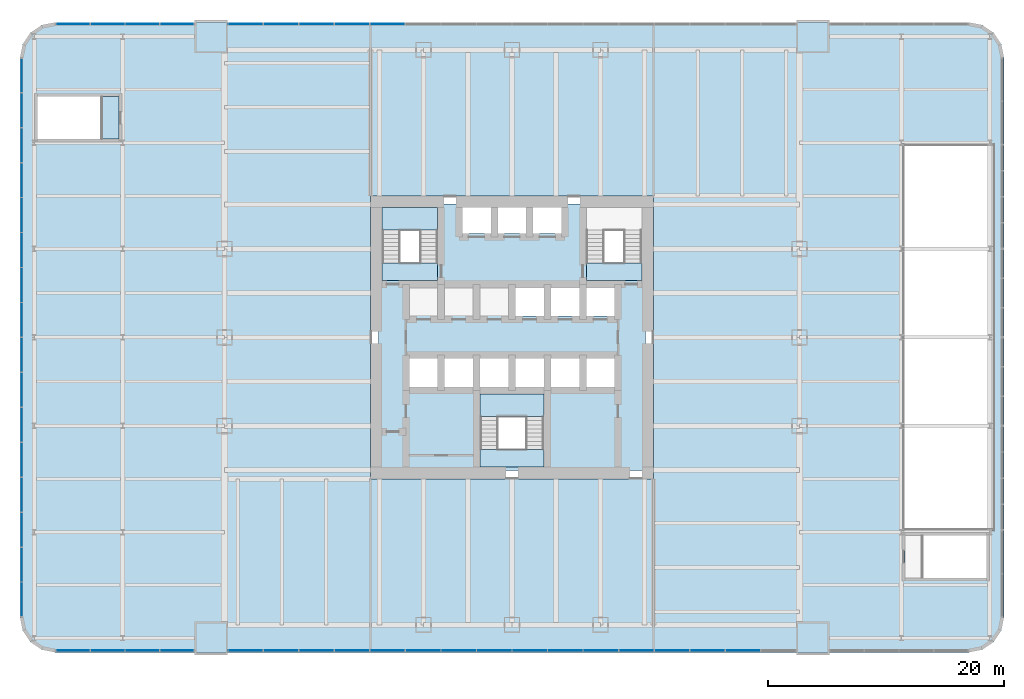
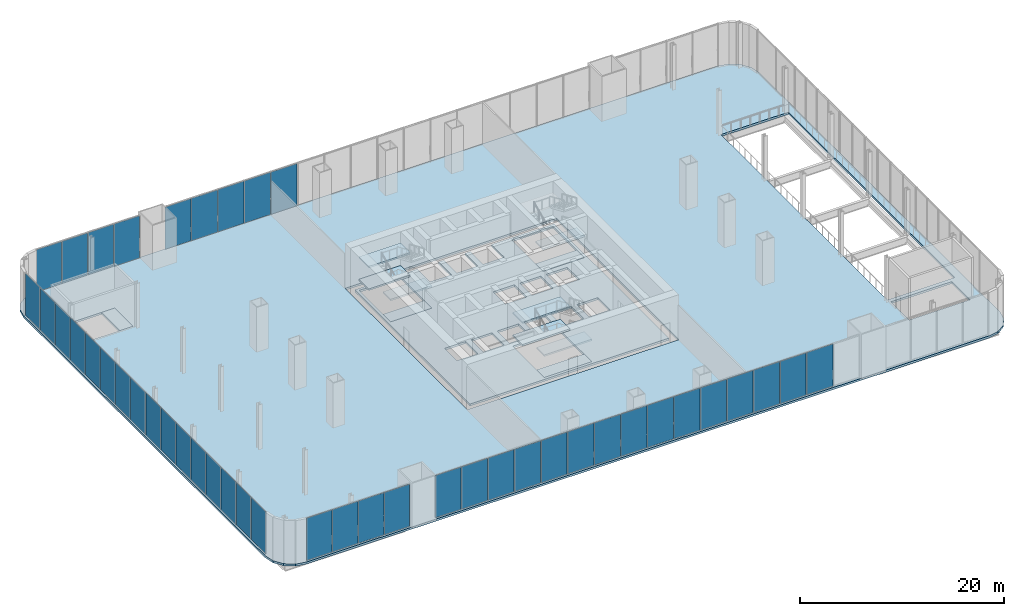
# One storey, part 12 of 17: 44 plates, 13 slabs, 8 elements without a shape of their own.
"""IFC4 building model written with IfcOpenShell, lengths in metres."""

from ifc_helpers import new_model, si_unit, direction, frame, origin, origin_2d, place, context, subcontext, project, spatial, polyline, rectangle, outline, extrude, material, layer, layer_set, type_object, element, aggregate, save


model = new_model("IFC4")

# Units and contexts
model_context = context("Model", 3, precision=1e-05, world=origin(), true_north=direction((0.0, 1.0)))
body_context = subcontext(model_context, "Body", "Model", "MODEL_VIEW")
ifc_project = project(units=[si_unit("LENGTHUNIT", "METRE"), si_unit("AREAUNIT", "SQUARE_METRE"), si_unit("VOLUMEUNIT", "CUBIC_METRE"), si_unit("PLANEANGLEUNIT", "RADIAN"), si_unit("MASSUNIT", "GRAM", prefix="KILO")], contexts=[model_context])

# Site, building, storey
site_placement = place(None, origin())
site = spatial("IfcSite", under=ifc_project, at=site_placement, CompositionType="ELEMENT")
building_placement = place(site_placement, origin())
building = spatial("IfcBuilding", under=site, at=building_placement, Name="Tarangal Relay Tower", CompositionType="ELEMENT")
storey_placement = place(building_placement, frame((0.0, 0.0, 18.0)))
storey = spatial("IfcBuildingStorey", under=building, at=storey_placement, Name="L03", CompositionType="ELEMENT", Elevation=18.0)

# Slabs
ifc_material_1 = material(Name="Concrete fc' 35 MPa", Category="concrete")
ifc_layer_1 = layer(ifc_material_1, 0.25)
ifc_layer_set_1 = layer_set([ifc_layer_1], Name="Core floor slab 250")
slab_type_1 = type_object("IfcSlabType", Name="Core floor slab 250", PredefinedType="FLOOR", material=ifc_layer_set_1)
slab_1_placement = place(storey_placement, frame((0.0, 0.0, -0.25)))
element("IfcSlab", 1, at=slab_1_placement, inside=storey, type_object=slab_type_1, Name="Core floor slab L03", PredefinedType="FLOOR", context=body_context, shape_type="SweptSolid", body=[
    extrude(outline(polyline([(11.300048828125, 11.300048828125), (11.300048828125, -11.300048828125), (-11.300048828125, -11.300048828125), (-11.300048828125, 11.300048828125), (-4.199951171875, 11.300048828125), (-4.199951171875, 8.800048828125), (-1.800048828125, 8.800048828125), (-1.800048828125, 11.300048828125), (-1.199951171875, 11.300048828125), (-1.199951171875, 8.800048828125), (1.199951171875, 8.800048828125), (1.199951171875, 11.300048828125), (1.800048828125, 11.300048828125), (1.800048828125, 8.800048828125), (4.199951171875, 8.800048828125), (4.199951171875, 11.300048828125), (11.300048828125, 11.300048828125)]), holes=[polyline([(2.699951171875, -4.800048828125), (-2.699951171875, -4.800048828125), (-2.699951171875, -11.0), (2.699951171875, -11.0), (2.699951171875, -4.800048828125)]), polyline([(-6.300048828125, -4.199951171875), (-6.300048828125, -1.800048828125), (-8.699951171875, -1.800048828125), (-8.699951171875, -4.199951171875), (-6.300048828125, -4.199951171875)]), polyline([(-3.300048828125, -4.199951171875), (-3.300048828125, -1.800048828125), (-5.699951171875, -1.800048828125), (-5.699951171875, -4.199951171875), (-3.300048828125, -4.199951171875)]), polyline([(-0.300048828125, -4.199951171875), (-0.300048828125, -1.800048828125), (-2.699951171875, -1.800048828125), (-2.699951171875, -4.199951171875), (-0.300048828125, -4.199951171875)]), polyline([(2.699951171875, 1.800048828125), (2.699951171875, 4.199951171875), (0.300048828125, 4.199951171875), (0.300048828125, 1.800048828125), (2.699951171875, 1.800048828125)]), polyline([(-6.300048828125, 4.800048828125), (-6.300048828125, 11.0), (-11.0, 11.0), (-11.0, 4.800048828125), (-6.300048828125, 4.800048828125)]), polyline([(2.699951171875, -4.199951171875), (2.699951171875, -1.800048828125), (0.300048828125, -1.800048828125), (0.300048828125, -4.199951171875), (2.699951171875, -4.199951171875)]), polyline([(5.699951171875, -4.199951171875), (5.699951171875, -1.800048828125), (3.300048828125, -1.800048828125), (3.300048828125, -4.199951171875), (5.699951171875, -4.199951171875)]), polyline([(8.699951171875, -4.199951171875), (8.699951171875, -1.800048828125), (6.300048828125, -1.800048828125), (6.300048828125, -4.199951171875), (8.699951171875, -4.199951171875)]), polyline([(5.699951171875, 1.800048828125), (5.699951171875, 4.199951171875), (3.300048828125, 4.199951171875), (3.300048828125, 1.800048828125), (5.699951171875, 1.800048828125)]), polyline([(8.699951171875, 1.800048828125), (8.699951171875, 4.199951171875), (6.300048828125, 4.199951171875), (6.300048828125, 1.800048828125), (8.699951171875, 1.800048828125)]), polyline([(11.0, 4.800048828125), (11.0, 11.0), (6.300048828125, 11.0), (6.300048828125, 4.800048828125), (11.0, 4.800048828125)])]), origin(), (0.0, 0.0, 1.0), 0.25),
])
ifc_layer_2 = layer(ifc_material_1, 0.25)
ifc_layer_set_2 = layer_set([ifc_layer_2], Name="Floor slab 250")
slab_type_2 = type_object("IfcSlabType", Name="Floor slab 250", PredefinedType="FLOOR", material=ifc_layer_set_2)
slab_2_placement = place(storey_placement, frame((0.0, 0.0, -0.25)))
element("IfcSlab", 2, at=slab_2_placement, inside=storey, type_object=slab_type_2, Name="Floor slab FS1 L03", PredefinedType="FLOOR", context=body_context, shape_type="SweptSolid", body=[
    extrude(outline(polyline([(41.699951171875, 23.699951171875), (41.4716796875, 24.84814453125), (40.8212890625, 25.8212890625), (39.84814453125, 26.4716796875), (38.699951171875, 26.699951171875), (-38.699951171875, 26.699951171875), (-39.84814453125, 26.4716796875), (-40.8212890625, 25.8212890625), (-41.4716796875, 24.84814453125), (-41.699951171875, 23.699951171875), (-41.699951171875, -23.699951171875), (-41.4716796875, -24.84814453125), (-40.8212890625, -25.8212890625), (-39.84814453125, -26.4716796875), (-38.699951171875, -26.699951171875), (38.699951171875, -26.699951171875), (39.84814453125, -26.4716796875), (40.8212890625, -25.8212890625), (41.4716796875, -24.84814453125), (41.699951171875, -23.699951171875), (41.699951171875, 23.699951171875)]), holes=[polyline([(-12.0, -12.0), (12.0, -12.0), (12.0, 12.0), (-12.0, 12.0), (-12.0, -12.0)]), polyline([(-40.199951171875, 16.800048828125), (-33.300048828125, 16.800048828125), (-33.300048828125, 20.39990234375), (-40.199951171875, 20.39990234375), (-40.199951171875, 16.800048828125)]), polyline([(33.300048828125, -20.39990234375), (40.199951171875, -20.39990234375), (40.199951171875, -16.800048828125), (33.300048828125, -16.800048828125), (33.300048828125, -20.39990234375)]), polyline([(33.14990234375, -16.35009765625), (40.800048828125, -16.35009765625), (40.800048828125, 16.35009765625), (33.14990234375, 16.35009765625), (33.14990234375, -16.35009765625)])]), origin(), (0.0, 0.0, 1.0), 0.25),
])

# Curtain wall, plates
ifc_material_2 = material(Name="Unitised curtain wall, dark glass and black aluminium", Category="aluminium")
curtain_wall_type = type_object("IfcCurtainWallType", Name="Curtain wall CW-P", PredefinedType="USERDEFINED", material=ifc_material_2)
curtain_wall_1_placement = place(storey_placement, origin())
curtain_wall_1 = element("IfcCurtainWall", 3, at=curtain_wall_1_placement, inside=storey, type_object=curtain_wall_type, Name="Curtain wall CW-P Podium N facade L03", ObjectType="UNITISED CURTAIN WALL", PredefinedType="USERDEFINED")
ifc_material_3 = material(Name="Dark tinted insulated glass unit", Category="glass")
ifc_layer_3 = layer(ifc_material_3, 0.033935546875)
ifc_layer_set_3 = layer_set([ifc_layer_3], Name="Glazed panel CW-P 34")
plate_type = type_object("IfcPlateType", Name="Glazed panel CW-P 34", PredefinedType="CURTAIN_PANEL", material=ifc_layer_set_3)
plate_1_placement = place(storey_placement, frame((-10.543701171875, 26.550048828125, 0.070068359375), z_axis=(0.0, 0.0, 1.0), x_axis=(-1.0, 0.0, 0.0)))
plate_1 = element("IfcPlate", 4, at=plate_1_placement, type_object=plate_type, Name="CW-P panel 12.1", PredefinedType="CURTAIN_PANEL", context=body_context, shape_type="SweptSolid", body=[
    extrude(rectangle(XDim=2.9423828125, YDim=0.033935546875, at=origin_2d()), origin(), (0.0, 0.0, 1.0), 5.06005859375),
])
plate_2_placement = place(storey_placement, frame((-13.55615234375, 26.550048828125, 0.070068359375), z_axis=(0.0, 0.0, 1.0), x_axis=(-1.0, 0.0, 0.0)))
plate_2 = element("IfcPlate", 5, at=plate_2_placement, type_object=plate_type, Name="CW-P panel 13.1", PredefinedType="CURTAIN_PANEL", context=body_context, shape_type="SweptSolid", body=[
    extrude(rectangle(XDim=2.9423828125, YDim=0.033935546875, at=origin_2d()), origin(), (0.0, 0.0, 1.0), 5.06005859375),
])
plate_3_placement = place(storey_placement, frame((-16.56884765625, 26.550048828125, 0.070068359375), z_axis=(0.0, 0.0, 1.0), x_axis=(-1.0, 0.0, 0.0)))
plate_3 = element("IfcPlate", 6, at=plate_3_placement, type_object=plate_type, Name="CW-P panel 14.1", PredefinedType="CURTAIN_PANEL", context=body_context, shape_type="SweptSolid", body=[
    extrude(rectangle(XDim=2.9423828125, YDim=0.033935546875, at=origin_2d()), origin(), (0.0, 0.0, 1.0), 5.06005859375),
])
plate_4_placement = place(storey_placement, frame((-19.581298828125, 26.550048828125, 0.070068359375), z_axis=(0.0, 0.0, 1.0), x_axis=(-1.0, 0.0, 0.0)))
plate_4 = element("IfcPlate", 7, at=plate_4_placement, type_object=plate_type, Name="CW-P panel 15.1", PredefinedType="CURTAIN_PANEL", context=body_context, shape_type="SweptSolid", body=[
    extrude(rectangle(XDim=2.9423828125, YDim=0.033935546875, at=origin_2d()), origin(), (0.0, 0.0, 1.0), 5.06005859375),
])
plate_5_placement = place(storey_placement, frame((-22.576171875, 26.550048828125, 0.070068359375), z_axis=(0.0, 0.0, 1.0), x_axis=(-1.0, 0.0, 0.0)))
plate_5 = element("IfcPlate", 8, at=plate_5_placement, type_object=plate_type, Name="CW-P panel 16.1", PredefinedType="CURTAIN_PANEL", context=body_context, shape_type="SweptSolid", body=[
    extrude(rectangle(XDim=2.907470703125, YDim=0.033935546875, at=origin_2d()), origin(), (0.0, 0.0, 1.0), 5.06005859375),
])
aggregate(curtain_wall_1, [plate_1, plate_2, plate_3, plate_4, plate_5])

curtain_wall_2_placement = place(storey_placement, origin())
curtain_wall_2 = element("IfcCurtainWall", 9, at=curtain_wall_2_placement, inside=storey, type_object=curtain_wall_type, Name="Curtain wall CW-P Podium N facade L03", ObjectType="UNITISED CURTAIN WALL", PredefinedType="USERDEFINED")
plate_6_placement = place(storey_placement, frame((-28.392578125, 26.550048828125, 0.070068359375), z_axis=(0.0, 0.0, 1.0), x_axis=(-1.0, 0.0, 0.0)))
plate_6 = element("IfcPlate", 10, at=plate_6_placement, type_object=plate_type, Name="CW-P panel 1.1", PredefinedType="CURTAIN_PANEL", context=body_context, shape_type="SweptSolid", body=[
    extrude(rectangle(XDim=2.844970703125, YDim=0.033935546875, at=origin_2d()), origin(), (0.0, 0.0, 1.0), 5.06005859375),
])
plate_7_placement = place(storey_placement, frame((-31.324951171875, 26.550048828125, 0.070068359375), z_axis=(0.0, 0.0, 1.0), x_axis=(-1.0, 0.0, 0.0)))
plate_7 = element("IfcPlate", 11, at=plate_7_placement, type_object=plate_type, Name="CW-P panel 2.1", PredefinedType="CURTAIN_PANEL", context=body_context, shape_type="SweptSolid", body=[
    extrude(rectangle(XDim=2.8798828125, YDim=0.033935546875, at=origin_2d()), origin(), (0.0, 0.0, 1.0), 5.06005859375),
])
plate_8_placement = place(storey_placement, frame((-34.27490234375, 26.550048828125, 0.070068359375), z_axis=(0.0, 0.0, 1.0), x_axis=(-1.0, 0.0, 0.0)))
plate_8 = element("IfcPlate", 12, at=plate_8_placement, type_object=plate_type, Name="CW-P panel 3.1", PredefinedType="CURTAIN_PANEL", context=body_context, shape_type="SweptSolid", body=[
    extrude(rectangle(XDim=2.8798828125, YDim=0.033935546875, at=origin_2d()), origin(), (0.0, 0.0, 1.0), 5.06005859375),
])
plate_9_placement = place(storey_placement, frame((-37.20751953125, 26.550048828125, 0.070068359375), z_axis=(0.0, 0.0, 1.0), x_axis=(-1.0, 0.0, 0.0)))
plate_9 = element("IfcPlate", 13, at=plate_9_placement, type_object=plate_type, Name="CW-P panel 4.1", PredefinedType="CURTAIN_PANEL", context=body_context, shape_type="SweptSolid", body=[
    extrude(rectangle(XDim=2.844970703125, YDim=0.033935546875, at=origin_2d()), origin(), (0.0, 0.0, 1.0), 5.06005859375),
])
aggregate(curtain_wall_2, [plate_6, plate_7, plate_8, plate_9])

curtain_wall_3_placement = place(storey_placement, origin())
curtain_wall_3 = element("IfcCurtainWall", 14, at=curtain_wall_3_placement, inside=storey, type_object=curtain_wall_type, Name="Curtain wall CW-P Podium W facade L03", ObjectType="UNITISED CURTAIN WALL", PredefinedType="USERDEFINED")
plate_10_placement = place(storey_placement, frame((-41.550048828125, 22.201171875, 0.070068359375), z_axis=(0.0, 0.0, 1.0), x_axis=(0.0, -1.0, 0.0)))
plate_10 = element("IfcPlate", 15, at=plate_10_placement, type_object=plate_type, Name="CW-P panel 1.1", PredefinedType="CURTAIN_PANEL", context=body_context, shape_type="SweptSolid", body=[
    extrude(rectangle(XDim=2.857421875, YDim=0.033935546875, at=origin_2d()), origin(), (0.0, 0.0, 1.0), 5.06005859375),
])
plate_11_placement = place(storey_placement, frame((-41.550048828125, 19.25634765625, 0.070068359375), z_axis=(0.0, 0.0, 1.0), x_axis=(0.0, -1.0, 0.0)))
plate_11 = element("IfcPlate", 16, at=plate_11_placement, type_object=plate_type, Name="CW-P panel 2.1", PredefinedType="CURTAIN_PANEL", context=body_context, shape_type="SweptSolid", body=[
    extrude(rectangle(XDim=2.892578125, YDim=0.033935546875, at=origin_2d()), origin(), (0.0, 0.0, 1.0), 5.06005859375),
])
plate_12_placement = place(storey_placement, frame((-41.550048828125, 16.293701171875, 0.070068359375), z_axis=(0.0, 0.0, 1.0), x_axis=(0.0, -1.0, 0.0)))
plate_12 = element("IfcPlate", 17, at=plate_12_placement, type_object=plate_type, Name="CW-P panel 3.1", PredefinedType="CURTAIN_PANEL", context=body_context, shape_type="SweptSolid", body=[
    extrude(rectangle(XDim=2.892578125, YDim=0.033935546875, at=origin_2d()), origin(), (0.0, 0.0, 1.0), 5.06005859375),
])
plate_13_placement = place(storey_placement, frame((-41.550048828125, 13.331298828125, 0.070068359375), z_axis=(0.0, 0.0, 1.0), x_axis=(0.0, -1.0, 0.0)))
plate_13 = element("IfcPlate", 18, at=plate_13_placement, type_object=plate_type, Name="CW-P panel 4.1", PredefinedType="CURTAIN_PANEL", context=body_context, shape_type="SweptSolid", body=[
    extrude(rectangle(XDim=2.892578125, YDim=0.033935546875, at=origin_2d()), origin(), (0.0, 0.0, 1.0), 5.06005859375),
])
plate_14_placement = place(storey_placement, frame((-41.550048828125, 10.36865234375, 0.070068359375), z_axis=(0.0, 0.0, 1.0), x_axis=(0.0, -1.0, 0.0)))
plate_14 = element("IfcPlate", 19, at=plate_14_placement, type_object=plate_type, Name="CW-P panel 5.1", PredefinedType="CURTAIN_PANEL", context=body_context, shape_type="SweptSolid", body=[
    extrude(rectangle(XDim=2.892578125, YDim=0.033935546875, at=origin_2d()), origin(), (0.0, 0.0, 1.0), 5.06005859375),
])
plate_15_placement = place(storey_placement, frame((-41.550048828125, 7.40625, 0.070068359375), z_axis=(0.0, 0.0, 1.0), x_axis=(0.0, -1.0, 0.0)))
plate_15 = element("IfcPlate", 20, at=plate_15_placement, type_object=plate_type, Name="CW-P panel 6.1", PredefinedType="CURTAIN_PANEL", context=body_context, shape_type="SweptSolid", body=[
    extrude(rectangle(XDim=2.892578125, YDim=0.033935546875, at=origin_2d()), origin(), (0.0, 0.0, 1.0), 5.06005859375),
])
plate_16_placement = place(storey_placement, frame((-41.550048828125, 4.44384765625, 0.070068359375), z_axis=(0.0, 0.0, 1.0), x_axis=(0.0, -1.0, 0.0)))
plate_16 = element("IfcPlate", 21, at=plate_16_placement, type_object=plate_type, Name="CW-P panel 7.1", PredefinedType="CURTAIN_PANEL", context=body_context, shape_type="SweptSolid", body=[
    extrude(rectangle(XDim=2.892578125, YDim=0.033935546875, at=origin_2d()), origin(), (0.0, 0.0, 1.0), 5.06005859375),
])
plate_17_placement = place(storey_placement, frame((-41.550048828125, 1.481201171875, 0.070068359375), z_axis=(0.0, 0.0, 1.0), x_axis=(0.0, -1.0, 0.0)))
plate_17 = element("IfcPlate", 22, at=plate_17_placement, type_object=plate_type, Name="CW-P panel 8.1", PredefinedType="CURTAIN_PANEL", context=body_context, shape_type="SweptSolid", body=[
    extrude(rectangle(XDim=2.892578125, YDim=0.033935546875, at=origin_2d()), origin(), (0.0, 0.0, 1.0), 5.06005859375),
])
plate_18_placement = place(storey_placement, frame((-41.550048828125, -1.481201171875, 0.070068359375), z_axis=(0.0, 0.0, 1.0), x_axis=(0.0, -1.0, 0.0)))
plate_18 = element("IfcPlate", 23, at=plate_18_placement, type_object=plate_type, Name="CW-P panel 9.1", PredefinedType="CURTAIN_PANEL", context=body_context, shape_type="SweptSolid", body=[
    extrude(rectangle(XDim=2.892578125, YDim=0.033935546875, at=origin_2d()), origin(), (0.0, 0.0, 1.0), 5.06005859375),
])
plate_19_placement = place(storey_placement, frame((-41.550048828125, -4.44384765625, 0.070068359375), z_axis=(0.0, 0.0, 1.0), x_axis=(0.0, -1.0, 0.0)))
plate_19 = element("IfcPlate", 24, at=plate_19_placement, type_object=plate_type, Name="CW-P panel 10.1", PredefinedType="CURTAIN_PANEL", context=body_context, shape_type="SweptSolid", body=[
    extrude(rectangle(XDim=2.892578125, YDim=0.033935546875, at=origin_2d()), origin(), (0.0, 0.0, 1.0), 5.06005859375),
])
plate_20_placement = place(storey_placement, frame((-41.550048828125, -7.40625, 0.070068359375), z_axis=(0.0, 0.0, 1.0), x_axis=(0.0, -1.0, 0.0)))
plate_20 = element("IfcPlate", 25, at=plate_20_placement, type_object=plate_type, Name="CW-P panel 11.1", PredefinedType="CURTAIN_PANEL", context=body_context, shape_type="SweptSolid", body=[
    extrude(rectangle(XDim=2.892578125, YDim=0.033935546875, at=origin_2d()), origin(), (0.0, 0.0, 1.0), 5.06005859375),
])
plate_21_placement = place(storey_placement, frame((-41.550048828125, -10.36865234375, 0.070068359375), z_axis=(0.0, 0.0, 1.0), x_axis=(0.0, -1.0, 0.0)))
plate_21 = element("IfcPlate", 26, at=plate_21_placement, type_object=plate_type, Name="CW-P panel 12.1", PredefinedType="CURTAIN_PANEL", context=body_context, shape_type="SweptSolid", body=[
    extrude(rectangle(XDim=2.892578125, YDim=0.033935546875, at=origin_2d()), origin(), (0.0, 0.0, 1.0), 5.06005859375),
])
plate_22_placement = place(storey_placement, frame((-41.550048828125, -13.331298828125, 0.070068359375), z_axis=(0.0, 0.0, 1.0), x_axis=(0.0, -1.0, 0.0)))
plate_22 = element("IfcPlate", 27, at=plate_22_placement, type_object=plate_type, Name="CW-P panel 13.1", PredefinedType="CURTAIN_PANEL", context=body_context, shape_type="SweptSolid", body=[
    extrude(rectangle(XDim=2.892578125, YDim=0.033935546875, at=origin_2d()), origin(), (0.0, 0.0, 1.0), 5.06005859375),
])
plate_23_placement = place(storey_placement, frame((-41.550048828125, -16.293701171875, 0.070068359375), z_axis=(0.0, 0.0, 1.0), x_axis=(0.0, -1.0, 0.0)))
plate_23 = element("IfcPlate", 28, at=plate_23_placement, type_object=plate_type, Name="CW-P panel 14.1", PredefinedType="CURTAIN_PANEL", context=body_context, shape_type="SweptSolid", body=[
    extrude(rectangle(XDim=2.892578125, YDim=0.033935546875, at=origin_2d()), origin(), (0.0, 0.0, 1.0), 5.06005859375),
])
plate_24_placement = place(storey_placement, frame((-41.550048828125, -19.25634765625, 0.070068359375), z_axis=(0.0, 0.0, 1.0), x_axis=(0.0, -1.0, 0.0)))
plate_24 = element("IfcPlate", 29, at=plate_24_placement, type_object=plate_type, Name="CW-P panel 15.1", PredefinedType="CURTAIN_PANEL", context=body_context, shape_type="SweptSolid", body=[
    extrude(rectangle(XDim=2.892578125, YDim=0.033935546875, at=origin_2d()), origin(), (0.0, 0.0, 1.0), 5.06005859375),
])
plate_25_placement = place(storey_placement, frame((-41.550048828125, -22.201171875, 0.070068359375), z_axis=(0.0, 0.0, 1.0), x_axis=(0.0, -1.0, 0.0)))
plate_25 = element("IfcPlate", 30, at=plate_25_placement, type_object=plate_type, Name="CW-P panel 16.1", PredefinedType="CURTAIN_PANEL", context=body_context, shape_type="SweptSolid", body=[
    extrude(rectangle(XDim=2.857421875, YDim=0.033935546875, at=origin_2d()), origin(), (0.0, 0.0, 1.0), 5.06005859375),
])
aggregate(curtain_wall_3, [plate_10, plate_11, plate_12, plate_13, plate_14, plate_15, plate_16, plate_17, plate_18, plate_19, plate_20, plate_21, plate_22, plate_23, plate_24, plate_25])

curtain_wall_4_placement = place(storey_placement, origin())
curtain_wall_4 = element("IfcCurtainWall", 31, at=curtain_wall_4_placement, inside=storey, type_object=curtain_wall_type, Name="Curtain wall CW-P Podium S facade L03", ObjectType="UNITISED CURTAIN WALL", PredefinedType="USERDEFINED")
plate_26_placement = place(storey_placement, frame((-37.20751953125, -26.550048828125, 0.070068359375), z_axis=(0.0, 0.0, 1.0), x_axis=(1.0, 0.0, 0.0)))
plate_26 = element("IfcPlate", 32, at=plate_26_placement, type_object=plate_type, Name="CW-P panel 1.1", PredefinedType="CURTAIN_PANEL", context=body_context, shape_type="SweptSolid", body=[
    extrude(rectangle(XDim=2.844970703125, YDim=0.033935546875, at=origin_2d()), origin(), (0.0, 0.0, 1.0), 5.06005859375),
])
plate_27_placement = place(storey_placement, frame((-34.27490234375, -26.550048828125, 0.070068359375), z_axis=(0.0, 0.0, 1.0), x_axis=(1.0, 0.0, 0.0)))
plate_27 = element("IfcPlate", 33, at=plate_27_placement, type_object=plate_type, Name="CW-P panel 2.1", PredefinedType="CURTAIN_PANEL", context=body_context, shape_type="SweptSolid", body=[
    extrude(rectangle(XDim=2.8798828125, YDim=0.033935546875, at=origin_2d()), origin(), (0.0, 0.0, 1.0), 5.06005859375),
])
plate_28_placement = place(storey_placement, frame((-31.324951171875, -26.550048828125, 0.070068359375), z_axis=(0.0, 0.0, 1.0), x_axis=(1.0, 0.0, 0.0)))
plate_28 = element("IfcPlate", 34, at=plate_28_placement, type_object=plate_type, Name="CW-P panel 3.1", PredefinedType="CURTAIN_PANEL", context=body_context, shape_type="SweptSolid", body=[
    extrude(rectangle(XDim=2.8798828125, YDim=0.033935546875, at=origin_2d()), origin(), (0.0, 0.0, 1.0), 5.06005859375),
])
plate_29_placement = place(storey_placement, frame((-28.392578125, -26.550048828125, 0.070068359375), z_axis=(0.0, 0.0, 1.0), x_axis=(1.0, 0.0, 0.0)))
plate_29 = element("IfcPlate", 35, at=plate_29_placement, type_object=plate_type, Name="CW-P panel 4.1", PredefinedType="CURTAIN_PANEL", context=body_context, shape_type="SweptSolid", body=[
    extrude(rectangle(XDim=2.844970703125, YDim=0.033935546875, at=origin_2d()), origin(), (0.0, 0.0, 1.0), 5.06005859375),
])
aggregate(curtain_wall_4, [plate_26, plate_27, plate_28, plate_29])

curtain_wall_5_placement = place(storey_placement, origin())
curtain_wall_5 = element("IfcCurtainWall", 36, at=curtain_wall_5_placement, inside=storey, type_object=curtain_wall_type, Name="Curtain wall CW-P Podium S facade L03", ObjectType="UNITISED CURTAIN WALL", PredefinedType="USERDEFINED")
plate_30_placement = place(storey_placement, frame((-22.576171875, -26.550048828125, 0.070068359375), z_axis=(0.0, 0.0, 1.0), x_axis=(1.0, 0.0, 0.0)))
plate_30 = element("IfcPlate", 37, at=plate_30_placement, type_object=plate_type, Name="CW-P panel 1.1", PredefinedType="CURTAIN_PANEL", context=body_context, shape_type="SweptSolid", body=[
    extrude(rectangle(XDim=2.907470703125, YDim=0.033935546875, at=origin_2d()), origin(), (0.0, 0.0, 1.0), 5.06005859375),
])
plate_31_placement = place(storey_placement, frame((-19.581298828125, -26.550048828125, 0.070068359375), z_axis=(0.0, 0.0, 1.0), x_axis=(1.0, 0.0, 0.0)))
plate_31 = element("IfcPlate", 38, at=plate_31_placement, type_object=plate_type, Name="CW-P panel 2.1", PredefinedType="CURTAIN_PANEL", context=body_context, shape_type="SweptSolid", body=[
    extrude(rectangle(XDim=2.9423828125, YDim=0.033935546875, at=origin_2d()), origin(), (0.0, 0.0, 1.0), 5.06005859375),
])
plate_32_placement = place(storey_placement, frame((-16.56884765625, -26.550048828125, 0.070068359375), z_axis=(0.0, 0.0, 1.0), x_axis=(1.0, 0.0, 0.0)))
plate_32 = element("IfcPlate", 39, at=plate_32_placement, type_object=plate_type, Name="CW-P panel 3.1", PredefinedType="CURTAIN_PANEL", context=body_context, shape_type="SweptSolid", body=[
    extrude(rectangle(XDim=2.9423828125, YDim=0.033935546875, at=origin_2d()), origin(), (0.0, 0.0, 1.0), 5.06005859375),
])
plate_33_placement = place(storey_placement, frame((-13.55615234375, -26.550048828125, 0.070068359375), z_axis=(0.0, 0.0, 1.0), x_axis=(1.0, 0.0, 0.0)))
plate_33 = element("IfcPlate", 40, at=plate_33_placement, type_object=plate_type, Name="CW-P panel 4.1", PredefinedType="CURTAIN_PANEL", context=body_context, shape_type="SweptSolid", body=[
    extrude(rectangle(XDim=2.9423828125, YDim=0.033935546875, at=origin_2d()), origin(), (0.0, 0.0, 1.0), 5.06005859375),
])
plate_34_placement = place(storey_placement, frame((-10.543701171875, -26.550048828125, 0.070068359375), z_axis=(0.0, 0.0, 1.0), x_axis=(1.0, 0.0, 0.0)))
plate_34 = element("IfcPlate", 41, at=plate_34_placement, type_object=plate_type, Name="CW-P panel 5.1", PredefinedType="CURTAIN_PANEL", context=body_context, shape_type="SweptSolid", body=[
    extrude(rectangle(XDim=2.9423828125, YDim=0.033935546875, at=origin_2d()), origin(), (0.0, 0.0, 1.0), 5.06005859375),
])
plate_35_placement = place(storey_placement, frame((-7.53125, -26.550048828125, 0.070068359375), z_axis=(0.0, 0.0, 1.0), x_axis=(1.0, 0.0, 0.0)))
plate_35 = element("IfcPlate", 42, at=plate_35_placement, type_object=plate_type, Name="CW-P panel 6.1", PredefinedType="CURTAIN_PANEL", context=body_context, shape_type="SweptSolid", body=[
    extrude(rectangle(XDim=2.9423828125, YDim=0.033935546875, at=origin_2d()), origin(), (0.0, 0.0, 1.0), 5.06005859375),
])
plate_36_placement = place(storey_placement, frame((-4.518798828125, -26.550048828125, 0.070068359375), z_axis=(0.0, 0.0, 1.0), x_axis=(1.0, 0.0, 0.0)))
plate_36 = element("IfcPlate", 43, at=plate_36_placement, type_object=plate_type, Name="CW-P panel 7.1", PredefinedType="CURTAIN_PANEL", context=body_context, shape_type="SweptSolid", body=[
    extrude(rectangle(XDim=2.9423828125, YDim=0.033935546875, at=origin_2d()), origin(), (0.0, 0.0, 1.0), 5.06005859375),
])
plate_37_placement = place(storey_placement, frame((-1.50634765625, -26.550048828125, 0.070068359375), z_axis=(0.0, 0.0, 1.0), x_axis=(1.0, 0.0, 0.0)))
plate_37 = element("IfcPlate", 44, at=plate_37_placement, type_object=plate_type, Name="CW-P panel 8.1", PredefinedType="CURTAIN_PANEL", context=body_context, shape_type="SweptSolid", body=[
    extrude(rectangle(XDim=2.9423828125, YDim=0.033935546875, at=origin_2d()), origin(), (0.0, 0.0, 1.0), 5.06005859375),
])
plate_38_placement = place(storey_placement, frame((1.50634765625, -26.550048828125, 0.070068359375), z_axis=(0.0, 0.0, 1.0), x_axis=(1.0, 0.0, 0.0)))
plate_38 = element("IfcPlate", 45, at=plate_38_placement, type_object=plate_type, Name="CW-P panel 9.1", PredefinedType="CURTAIN_PANEL", context=body_context, shape_type="SweptSolid", body=[
    extrude(rectangle(XDim=2.9423828125, YDim=0.033935546875, at=origin_2d()), origin(), (0.0, 0.0, 1.0), 5.06005859375),
])
plate_39_placement = place(storey_placement, frame((4.518798828125, -26.550048828125, 0.070068359375), z_axis=(0.0, 0.0, 1.0), x_axis=(1.0, 0.0, 0.0)))
plate_39 = element("IfcPlate", 46, at=plate_39_placement, type_object=plate_type, Name="CW-P panel 10.1", PredefinedType="CURTAIN_PANEL", context=body_context, shape_type="SweptSolid", body=[
    extrude(rectangle(XDim=2.9423828125, YDim=0.033935546875, at=origin_2d()), origin(), (0.0, 0.0, 1.0), 5.06005859375),
])
plate_40_placement = place(storey_placement, frame((7.53125, -26.550048828125, 0.070068359375), z_axis=(0.0, 0.0, 1.0), x_axis=(1.0, 0.0, 0.0)))
plate_40 = element("IfcPlate", 47, at=plate_40_placement, type_object=plate_type, Name="CW-P panel 11.1", PredefinedType="CURTAIN_PANEL", context=body_context, shape_type="SweptSolid", body=[
    extrude(rectangle(XDim=2.9423828125, YDim=0.033935546875, at=origin_2d()), origin(), (0.0, 0.0, 1.0), 5.06005859375),
])
plate_41_placement = place(storey_placement, frame((10.543701171875, -26.550048828125, 0.070068359375), z_axis=(0.0, 0.0, 1.0), x_axis=(1.0, 0.0, 0.0)))
plate_41 = element("IfcPlate", 48, at=plate_41_placement, type_object=plate_type, Name="CW-P panel 12.1", PredefinedType="CURTAIN_PANEL", context=body_context, shape_type="SweptSolid", body=[
    extrude(rectangle(XDim=2.9423828125, YDim=0.033935546875, at=origin_2d()), origin(), (0.0, 0.0, 1.0), 5.06005859375),
])
plate_42_placement = place(storey_placement, frame((13.55615234375, -26.550048828125, 0.070068359375), z_axis=(0.0, 0.0, 1.0), x_axis=(1.0, 0.0, 0.0)))
plate_42 = element("IfcPlate", 49, at=plate_42_placement, type_object=plate_type, Name="CW-P panel 13.1", PredefinedType="CURTAIN_PANEL", context=body_context, shape_type="SweptSolid", body=[
    extrude(rectangle(XDim=2.9423828125, YDim=0.033935546875, at=origin_2d()), origin(), (0.0, 0.0, 1.0), 5.06005859375),
])
plate_43_placement = place(storey_placement, frame((16.56884765625, -26.550048828125, 0.070068359375), z_axis=(0.0, 0.0, 1.0), x_axis=(1.0, 0.0, 0.0)))
plate_43 = element("IfcPlate", 50, at=plate_43_placement, type_object=plate_type, Name="CW-P panel 14.1", PredefinedType="CURTAIN_PANEL", context=body_context, shape_type="SweptSolid", body=[
    extrude(rectangle(XDim=2.9423828125, YDim=0.033935546875, at=origin_2d()), origin(), (0.0, 0.0, 1.0), 5.06005859375),
])
plate_44_placement = place(storey_placement, frame((19.581298828125, -26.550048828125, 0.070068359375), z_axis=(0.0, 0.0, 1.0), x_axis=(1.0, 0.0, 0.0)))
plate_44 = element("IfcPlate", 51, at=plate_44_placement, type_object=plate_type, Name="CW-P panel 15.1", PredefinedType="CURTAIN_PANEL", context=body_context, shape_type="SweptSolid", body=[
    extrude(rectangle(XDim=2.9423828125, YDim=0.033935546875, at=origin_2d()), origin(), (0.0, 0.0, 1.0), 5.06005859375),
])
aggregate(curtain_wall_5, [plate_30, plate_31, plate_32, plate_33, plate_34, plate_35, plate_36, plate_37, plate_38, plate_39, plate_40, plate_41, plate_42, plate_43, plate_44])

# Stair, slabs
ifc_material_4 = material(Name="Steel ASTM A992 stair flight", Category="steel")
stair_type = type_object("IfcStairType", Name="Core stair 1500", PredefinedType="HALF_TURN_STAIR", material=ifc_material_4)
stair_1_placement = place(storey_placement, origin())
stair_1 = element("IfcStair", 52, at=stair_1_placement, inside=storey, type_object=stair_type, Name="Stair ST-A L03", PredefinedType="HALF_TURN_STAIR")
ifc_layer_4 = layer(ifc_material_1, 0.199951171875)
ifc_layer_set_4 = layer_set([ifc_layer_4], Name="Stair landing 200")
slab_type_3 = type_object("IfcSlabType", Name="Stair landing 200", PredefinedType="LANDING", material=ifc_layer_set_4)
slab_3_placement = place(storey_placement, frame((0.0, 0.0, -0.199951171875)))
slab_3 = element("IfcSlab", 53, at=slab_3_placement, type_object=slab_type_3, Name="ST-A landing 1", PredefinedType="LANDING", context=body_context, shape_type="SweptSolid", body=[
    extrude(outline(polyline([(-11.0, 4.800048828125), (-6.300048828125, 4.800048828125), (-6.300048828125, 6.300048828125), (-11.0, 6.300048828125), (-11.0, 4.800048828125)])), origin(), (0.0, 0.0, 1.0), 0.199951171875),
])
slab_4_placement = place(storey_placement, frame((0.0, 0.0, 1.14990234375)))
slab_4 = element("IfcSlab", 54, at=slab_4_placement, type_object=slab_type_3, Name="ST-A landing 2", PredefinedType="LANDING", context=body_context, shape_type="SweptSolid", body=[
    extrude(outline(polyline([(-11.0, 9.083984375), (-6.300048828125, 9.083984375), (-6.300048828125, 11.0), (-11.0, 11.0), (-11.0, 9.083984375)])), origin(), (0.0, 0.0, 1.0), 0.2001953125),
])
slab_5_placement = place(storey_placement, frame((0.0, 0.0, 2.5)))
slab_5 = element("IfcSlab", 55, at=slab_5_placement, type_object=slab_type_3, Name="ST-A landing 3", PredefinedType="LANDING", context=body_context, shape_type="SweptSolid", body=[
    extrude(outline(polyline([(-11.0, 4.800048828125), (-6.300048828125, 4.800048828125), (-6.300048828125, 6.300048828125), (-11.0, 6.300048828125), (-11.0, 4.800048828125)])), origin(), (0.0, 0.0, 1.0), 0.199951171875),
])
slab_6_placement = place(storey_placement, frame((0.0, 0.0, 3.85009765625)))
slab_6 = element("IfcSlab", 56, at=slab_6_placement, type_object=slab_type_3, Name="ST-A landing 4", PredefinedType="LANDING", context=body_context, shape_type="SweptSolid", body=[
    extrude(outline(polyline([(-11.0, 9.083984375), (-6.300048828125, 9.083984375), (-6.300048828125, 11.0), (-11.0, 11.0), (-11.0, 9.083984375)])), origin(), (0.0, 0.0, 1.0), 0.199951171875),
])
aggregate(stair_1, [slab_3, slab_4, slab_5, slab_6])

stair_2_placement = place(storey_placement, origin())
stair_2 = element("IfcStair", 57, at=stair_2_placement, inside=storey, type_object=stair_type, Name="Stair ST-B L03", PredefinedType="HALF_TURN_STAIR")
slab_7_placement = place(storey_placement, frame((0.0, 0.0, -0.199951171875)))
slab_7 = element("IfcSlab", 58, at=slab_7_placement, type_object=slab_type_3, Name="ST-B landing 1", PredefinedType="LANDING", context=body_context, shape_type="SweptSolid", body=[
    extrude(outline(polyline([(6.300048828125, 4.800048828125), (11.0, 4.800048828125), (11.0, 6.300048828125), (6.300048828125, 6.300048828125), (6.300048828125, 4.800048828125)])), origin(), (0.0, 0.0, 1.0), 0.199951171875),
])
slab_8_placement = place(storey_placement, frame((0.0, 0.0, 2.5)))
slab_8 = element("IfcSlab", 59, at=slab_8_placement, type_object=slab_type_3, Name="ST-B landing 3", PredefinedType="LANDING", context=body_context, shape_type="SweptSolid", body=[
    extrude(outline(polyline([(6.300048828125, 4.800048828125), (11.0, 4.800048828125), (11.0, 6.300048828125), (6.300048828125, 6.300048828125), (6.300048828125, 4.800048828125)])), origin(), (0.0, 0.0, 1.0), 0.199951171875),
])
aggregate(stair_2, [slab_7, slab_8])

stair_3_placement = place(storey_placement, origin())
stair_3 = element("IfcStair", 60, at=stair_3_placement, inside=storey, type_object=stair_type, Name="Stair ST-C L03", PredefinedType="HALF_TURN_STAIR")
slab_9_placement = place(storey_placement, frame((0.0, 0.0, -0.199951171875)))
slab_9 = element("IfcSlab", 61, at=slab_9_placement, type_object=slab_type_3, Name="ST-C landing 1", PredefinedType="LANDING", context=body_context, shape_type="SweptSolid", body=[
    extrude(outline(polyline([(-2.699951171875, -11.0), (2.699951171875, -11.0), (2.699951171875, -9.5), (-2.699951171875, -9.5), (-2.699951171875, -11.0)])), origin(), (0.0, 0.0, 1.0), 0.199951171875),
])
slab_10_placement = place(storey_placement, frame((0.0, 0.0, 1.14990234375)))
slab_10 = element("IfcSlab", 62, at=slab_10_placement, type_object=slab_type_3, Name="ST-C landing 2", PredefinedType="LANDING", context=body_context, shape_type="SweptSolid", body=[
    extrude(outline(polyline([(-2.699951171875, -6.716064453125), (2.699951171875, -6.716064453125), (2.699951171875, -4.800048828125), (-2.699951171875, -4.800048828125), (-2.699951171875, -6.716064453125)])), origin(), (0.0, 0.0, 1.0), 0.2001953125),
])
slab_11_placement = place(storey_placement, frame((0.0, 0.0, 2.5)))
slab_11 = element("IfcSlab", 63, at=slab_11_placement, type_object=slab_type_3, Name="ST-C landing 3", PredefinedType="LANDING", context=body_context, shape_type="SweptSolid", body=[
    extrude(outline(polyline([(-2.699951171875, -11.0), (2.699951171875, -11.0), (2.699951171875, -9.5), (-2.699951171875, -9.5), (-2.699951171875, -11.0)])), origin(), (0.0, 0.0, 1.0), 0.199951171875),
])
slab_12_placement = place(storey_placement, frame((0.0, 0.0, 3.85009765625)))
slab_12 = element("IfcSlab", 64, at=slab_12_placement, type_object=slab_type_3, Name="ST-C landing 4", PredefinedType="LANDING", context=body_context, shape_type="SweptSolid", body=[
    extrude(outline(polyline([(-2.699951171875, -6.716064453125), (2.699951171875, -6.716064453125), (2.699951171875, -4.800048828125), (-2.699951171875, -4.800048828125), (-2.699951171875, -6.716064453125)])), origin(), (0.0, 0.0, 1.0), 0.199951171875),
])
aggregate(stair_3, [slab_9, slab_10, slab_11, slab_12])

# Slab
slab_13_placement = place(storey_placement, frame((0.0, 0.0, -0.199951171875)))
element("IfcSlab", 65, at=slab_13_placement, inside=storey, type_object=slab_type_3, Name="Stair ST-D top landing L03", PredefinedType="LANDING", context=body_context, shape_type="SweptSolid", body=[
    extrude(outline(polyline([(-33.300048828125, 16.800048828125), (-33.300048828125, 20.39990234375), (-34.800048828125, 20.39990234375), (-34.800048828125, 16.800048828125), (-33.300048828125, 16.800048828125)])), origin(), (0.0, 0.0, 1.0), 0.199951171875),
])

save(model, "model.ifc")
